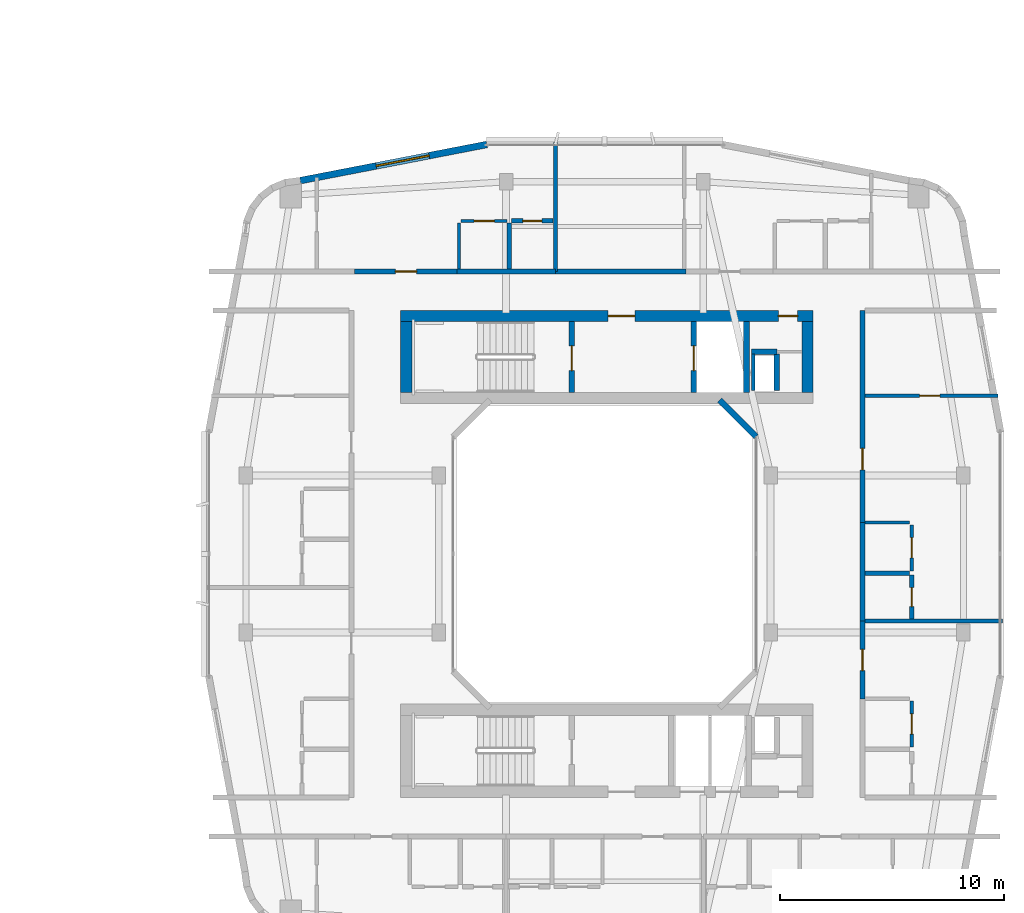
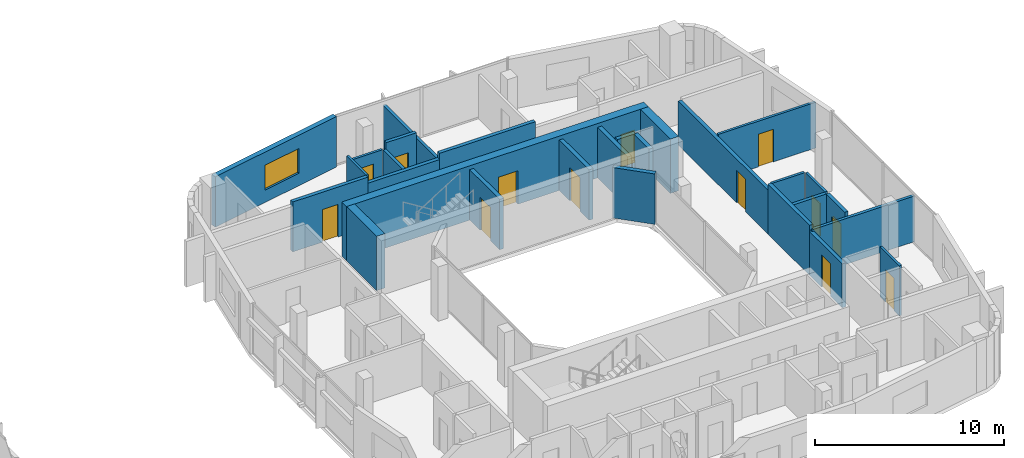
# One storey, part 16 of 24: 29 walls, 13 doors, 1 window, 14 openings.
"""IFC4 building model written with IfcOpenShell, lengths in metres."""

import ifcopenshell
import ifcopenshell.guid

model = None  # the IFC model being written
_history = None  # IfcOwnerHistory: only IFC2X3 demands one
_inside = {}  # id of a spatial element -> (the spatial element, [elements in it])
_under = {}  # id of a project, library or spatial element -> (it, [spatial elements below it])
_declared = {}  # id of a project -> (the project, [libraries it declares])
_typed = {}  # id of a type object -> (the type object, [elements of that type])
_made_of = {}  # id of a material, layer set ... -> (it, [elements and type objects made of it])


def new_model(schema):
    """Start an empty IFC model of exactly this schema.

    Asked for "IFC4X3", IfcOpenShell would pick the latest addendum, in which some entities
    have other attributes; the version numbers below select the first issue.
    IFC2X3 requires an IfcOwnerHistory on every rooted entity: one is made here for all.
    """
    global model, _history
    if schema == "IFC4X3":
        model = ifcopenshell.file(schema_version=(4, 3, 0, 0))
    else:
        model = ifcopenshell.file(schema=schema)
    _inside.clear()
    _under.clear()
    _declared.clear()
    _typed.clear()
    _made_of.clear()
    _history = None
    if model.schema == "IFC2X3":
        org = make("IfcOrganization", Name="unknown")
        user = make(
            "IfcPersonAndOrganization",
            ThePerson=make("IfcPerson", FamilyName="unknown"),
            TheOrganization=org,
        )
        app = make(
            "IfcApplication",
            ApplicationDeveloper=org,
            Version="unknown",
            ApplicationFullName="unknown",
            ApplicationIdentifier="unknown",
        )
        _history = make(
            "IfcOwnerHistory",
            OwningUser=user,
            OwningApplication=app,
            ChangeAction="ADDED",
            CreationDate=0,
        )
    return model


def make(cls, **values):
    """One entity of the class cls with the attributes given. An attribute that is None is left unset."""
    return model.create_entity(
        cls, **{name: value for name, value in values.items() if value is not None}
    )


def rooted(cls, **values):
    """An entity with a GlobalId (a new one), such as an element, a storey or a relation."""
    return make(cls, GlobalId=ifcopenshell.guid.new(), OwnerHistory=_history, **values)


def si_unit(unit_type, name, prefix=None):
    """IfcSIUnit, for example si_unit("LENGTHUNIT", "METRE", prefix="MILLI")."""
    return make("IfcSIUnit", UnitType=unit_type, Prefix=prefix, Name=name)


def derived_unit(unit_type, elements):
    """IfcDerivedUnit: a product of units, each with its exponent."""
    return make(
        "IfcDerivedUnit",
        Elements=[
            make("IfcDerivedUnitElement", Unit=unit, Exponent=power)
            for unit, power in elements
        ],
        UnitType=unit_type,
    )


def assignment(units):
    """IfcUnitAssignment: the units of a project."""
    return None if units is None else make("IfcUnitAssignment", Units=units)


def point(xyz):
    """IfcCartesianPoint."""
    return None if xyz is None else make("IfcCartesianPoint", Coordinates=xyz)


def direction(xyz):
    """IfcDirection."""
    return None if xyz is None else make("IfcDirection", DirectionRatios=xyz)


def frame(location, z_axis=None, x_axis=None):
    """IfcAxis2Placement3D, a coordinate frame: its origin and axes. An axis left out is left unset."""
    return make(
        "IfcAxis2Placement3D",
        Location=point(location),
        Axis=direction(z_axis),
        RefDirection=direction(x_axis),
    )


def frame_2d(location, x_axis=None):
    """IfcAxis2Placement2D, a coordinate frame in the plane: its origin and x axis."""
    return make(
        "IfcAxis2Placement2D", Location=point(location), RefDirection=direction(x_axis)
    )


def origin():
    """The frame at (0, 0, 0) with its axes left unset."""
    return frame((0.0, 0.0, 0.0))


def place(relative_to, where):
    """IfcLocalPlacement: puts the frame where relative to a parent placement (None: the world)."""
    return make(
        "IfcLocalPlacement", PlacementRelTo=relative_to, RelativePlacement=where
    )


def context(
    kind, dimensions, precision=None, world=None, true_north=None, identifier=None
):
    """IfcGeometricRepresentationContext, for example the 3D "Model" context."""
    return make(
        "IfcGeometricRepresentationContext",
        ContextIdentifier=identifier,
        ContextType=kind,
        CoordinateSpaceDimension=dimensions,
        Precision=precision,
        WorldCoordinateSystem=world,
        TrueNorth=true_north,
    )


def subcontext(parent, identifier, kind, view, scale=None):
    """IfcGeometricRepresentationSubContext, for example "Body" below "Model"."""
    return make(
        "IfcGeometricRepresentationSubContext",
        ContextIdentifier=identifier,
        ContextType=kind,
        ParentContext=parent,
        TargetScale=scale,
        TargetView=view,
    )


def project(units=None, contexts=None):
    """IfcProject with its units and contexts."""
    return rooted(
        "IfcProject",
        Name="project",
        RepresentationContexts=contexts,
        UnitsInContext=assignment(units),
    )


def spatial(cls, under=None, at=None, **own):
    """A site, building, storey or space (cls), placed at a placement, below another one or the project."""
    s = rooted(cls, ObjectPlacement=at, **own)
    if under is not None:
        _under.setdefault(under.id(), (under, []))[1].append(s)
    return s


def profile(cls, at=None, kind="AREA", **sizes):
    """A parametric profile (cls). Its sizes go by their IFC names, for example OverallWidth=200.0."""
    return make(cls, ProfileType=kind, Position=at, **sizes)


def rectangle(**sizes):
    """IfcRectangleProfileDef."""
    return profile("IfcRectangleProfileDef", **sizes)


def extrude(swept, where, along, depth):
    """IfcExtrudedAreaSolid: the profile swept, set in the frame where, extruded along a direction by depth."""
    return make(
        "IfcExtrudedAreaSolid",
        SweptArea=swept,
        Position=where,
        ExtrudedDirection=direction(along),
        Depth=depth,
    )


def shape(context_of_items, identifier, shape_type, items):
    """IfcShapeRepresentation: the items that make up one representation, for example the "Body"."""
    return make(
        "IfcShapeRepresentation",
        ContextOfItems=context_of_items,
        RepresentationIdentifier=identifier,
        RepresentationType=shape_type,
        Items=items,
    )


def material(Name=None, Category=None):
    """IfcMaterial."""
    return make("IfcMaterial", Name=Name, Category=Category)


def layer(
    of_material, thickness, ventilated=None, Name=None, Category=None, Priority=None
):
    """IfcMaterialLayer: one layer of a wall or slab, of a material (None: an air gap)."""
    return make(
        "IfcMaterialLayer",
        Material=of_material,
        LayerThickness=thickness,
        IsVentilated=ventilated,
        Name=Name,
        Category=Category,
        Priority=Priority,
    )


def layer_set(layers, Name=None):
    """IfcMaterialLayerSet."""
    return make("IfcMaterialLayerSet", MaterialLayers=layers, LayerSetName=Name)


def made_of(thing, what):
    """Note that an element or type object is made of a material, layer set ...; save() writes the relation."""
    if what is not None:
        _made_of.setdefault(what.id(), (what, []))[1].append(thing)
    return thing


def type_object(cls, material=None, **own):
    """A type object (cls), such as IfcWallType, which elements share."""
    return made_of(rooted(cls, **own), material)


def element(
    cls,
    number,
    at=None,
    inside=None,
    cuts=None,
    type_object=None,
    material=None,
    context=None,
    identifier="Body",
    shape_type=None,
    held_by="IfcProductDefinitionShape",
    body=None,
    shapes=None,
    **own,
):
    """One element of the class cls, such as IfcWall. Its Tag is "e" and its number.

    at: its placement. inside: the storey or other place that contains it. cuts: it is an
    opening in that element (IfcRelVoidsElement). A single representation is given by context,
    identifier, shape_type and body (its items); several are given by shapes. held_by: the class
    of the entity that holds the representations. save() writes the other relations.
    """
    e = rooted(cls, Tag="e%d" % number, ObjectPlacement=at, **own)
    if body is not None:
        shapes = [shape(context, identifier, shape_type, body)]
    if shapes is not None:
        e.Representation = make(held_by, Representations=shapes)
    if inside is not None:
        _inside.setdefault(inside.id(), (inside, []))[1].append(e)
    if cuts is not None:
        rooted(
            "IfcRelVoidsElement", RelatingBuildingElement=cuts, RelatedOpeningElement=e
        )
    if type_object is not None:
        _typed.setdefault(type_object.id(), (type_object, []))[1].append(e)
    return made_of(e, material)


def fill(opening, filler):
    """IfcRelFillsElement: the door or window that sits in an opening."""
    return rooted(
        "IfcRelFillsElement",
        RelatingOpeningElement=opening,
        RelatedBuildingElement=filler,
    )


def aggregate(whole, parts):
    """IfcRelAggregates: a whole, such as a stair, and the parts it consists of."""
    return rooted("IfcRelAggregates", RelatingObject=whole, RelatedObjects=parts)


def save(model, path):
    """Write the relations noted so far, then the file.

    IfcRelAggregates (storeys below a building ...), IfcRelContainedInSpatialStructure (elements
    in a storey), IfcRelDefinesByType, IfcRelAssociatesMaterial and IfcRelDeclares: one each for
    every whole, place, type object, material and project.
    """
    for whole, parts in _under.values():
        aggregate(whole, parts)
    for where, things in _inside.values():
        rooted(
            "IfcRelContainedInSpatialStructure",
            RelatedElements=things,
            RelatingStructure=where,
        )
    for kind, things in _typed.values():
        rooted("IfcRelDefinesByType", RelatedObjects=things, RelatingType=kind)
    for what, things in _made_of.values():
        rooted("IfcRelAssociatesMaterial", RelatedObjects=things, RelatingMaterial=what)
    for by, libraries in _declared.values():
        rooted("IfcRelDeclares", RelatingContext=by, RelatedDefinitions=libraries)
    model.write(path)


model = new_model("IFC4")

# Units and contexts
model_context = context("Model", 3, precision=1e-05, world=origin(), true_north=direction((0.0, 1.0)))
body_context = subcontext(model_context, "Body", "Model", "MODEL_VIEW")
ifc_project = project(units=[si_unit("LENGTHUNIT", "METRE"), si_unit("AREAUNIT", "SQUARE_METRE"), si_unit("VOLUMEUNIT", "CUBIC_METRE"), si_unit("PLANEANGLEUNIT", "RADIAN"), si_unit("MASSUNIT", "GRAM", prefix="KILO"), derived_unit("THERMALTRANSMITTANCEUNIT", [(si_unit("POWERUNIT", "WATT"), 1), (si_unit("LENGTHUNIT", "METRE"), -2), (si_unit("THERMODYNAMICTEMPERATUREUNIT", "KELVIN"), -1)])], contexts=[model_context])

# Site, building, storey
site_placement = place(None, origin())
site = spatial("IfcSite", under=ifc_project, at=site_placement, CompositionType="ELEMENT")
building_placement = place(site_placement, origin())
building = spatial("IfcBuilding", under=site, at=building_placement, Name="Kivonza Crest Hotel", CompositionType="ELEMENT")
storey_placement = place(building_placement, frame((0.0, 0.0, 80.0)))
storey = spatial("IfcBuildingStorey", under=building, at=storey_placement, Name="L21", CompositionType="ELEMENT", Elevation=80.0)

# Walls
ifc_material_1 = material(Name="High-density acoustic masonry inter-tenancy wall", Category="masonry")
ifc_layer_1 = layer(ifc_material_1, 0.179931640625)
ifc_layer_set_1 = layer_set([ifc_layer_1], Name="High-density acoustic masonry inter-tenancy wall")
wall_type_1 = type_object("IfcWallType", Name="WL-ACOU-180", PredefinedType="SOLIDWALL", material=ifc_layer_set_1)
wall_1_placement = place(storey_placement, frame((74.800048828125, 37.60009765625, 0.0), z_axis=(0.0, 0.0, 1.0), x_axis=(0.0, 1.0, 0.0)))
element("IfcWall", 1, at=wall_1_placement, inside=storey, type_object=wall_type_1, Name="L21 interior partition WA-L21-T2N-DIV1", PredefinedType="SOLIDWALL", context=body_context, shape_type="SweptSolid", body=[
    extrude(rectangle(XDim=5.739990234375, YDim=0.179931640625, at=frame_2d((2.8701171875, 0.0))), origin(), (0.0, 0.0, 1.0), 2.824951171875),
])
wall_2_placement = place(storey_placement, frame((88.5, 22.0, 0.0), z_axis=(0.0, 0.0, 1.0), x_axis=(1.0, 0.0, 0.0)))
element("IfcWall", 2, at=wall_2_placement, inside=storey, type_object=wall_type_1, Name="L21 interior partition WA-L21-T2E-DIV1", PredefinedType="SOLIDWALL", context=body_context, shape_type="SweptSolid", body=[
    extrude(rectangle(XDim=6.239990234375, YDim=0.179931640625, at=frame_2d((3.1201171875, 0.0))), origin(), (0.0, 0.0, 1.0), 2.945068359375),
])
ifc_material_2 = material(Name="Autoclaved aerated concrete blockwork", Category="masonry")
ifc_layer_2 = layer(ifc_material_2, 0.219970703125)
ifc_layer_set_2 = layer_set([ifc_layer_2], Name="Autoclaved aerated concrete blockwork")
wall_type_2 = type_object("IfcWallType", Name="WL-ACOU-220", PredefinedType="SOLIDWALL", material=ifc_layer_set_2)
wall_3_placement = place(storey_placement, frame((70.419921875, 37.60009765625, 0.0), z_axis=(0.0, 0.0, 1.0), x_axis=(1.0, 0.0, 0.0)))
element("IfcWall", 3, at=wall_3_placement, inside=storey, type_object=wall_type_2, Name="L21 interior partition WA-L21-A01-RCORR", PredefinedType="SOLIDWALL", context=body_context, shape_type="SweptSolid", body=[
    extrude(rectangle(XDim=4.380126953125, YDim=0.219970703125, at=frame_2d((2.18994140625, 0.0))), origin(), (0.0, 0.0, 1.0), 2.824951171875),
])

# Wall, opening, door
wall_4_placement = place(storey_placement, frame((65.85009765625, 37.60009765625, 0.0), z_axis=(0.0, 0.0, 1.0), x_axis=(1.0, 0.0, 0.0)))
wall_4 = element("IfcWall", 4, at=wall_4_placement, inside=storey, type_object=wall_type_2, Name="L21 interior partition WA-L21-A01-MCORR", PredefinedType="SOLIDWALL", context=body_context, shape_type="SweptSolid", body=[
    extrude(rectangle(XDim=4.56982421875, YDim=0.219970703125, at=frame_2d((2.284912109375, 0.0))), origin(), (0.0, 0.0, 1.0), 3.219970703125),
])
opening_1_placement = place(wall_4_placement, frame((1.81005859375, 0.0, 0.0)))
opening_1 = element("IfcOpeningElement", 5, at=opening_1_placement, cuts=wall_4, Name="Opening DU-60", PredefinedType="OPENING", context=body_context, shape_type="SweptSolid", body=[
    extrude(rectangle(XDim=0.949951171875, YDim=2.10009765625, at=frame_2d((0.47509765625, 1.050048828125))), frame((0.0, 0.1201171875, 0.0), z_axis=(0.0, -1.0, 0.0), x_axis=(1.0, 0.0, 0.0)), (0.0, 0.0, 1.0), 0.239990234375),
])
ifc_material_3 = material(Name="Hardwood timber oak", Category="wood")
door_type_1 = type_object("IfcDoorType", Name="DR-UNIT-950", OperationType="NOTDEFINED", PredefinedType="DOOR", material=ifc_material_3)
door_1_placement = place(opening_1_placement, origin())
door_1 = element("IfcDoor", 6, at=door_1_placement, inside=storey, type_object=door_type_1, Name="L21 A01 apartment entrance fire door", OperationType="SINGLE_SWING_LEFT", OverallHeight=2.10009765625, OverallWidth=0.949951171875, PredefinedType="DOOR", context=body_context, shape_type="SweptSolid", body=[
    extrude(rectangle(XDim=0.949951171875, YDim=2.10009765625, at=frame_2d((0.47509765625, 1.050048828125))), frame((0.0, 0.02490234375, 0.0), z_axis=(0.0, -1.0, 0.0), x_axis=(1.0, 0.0, 0.0)), (0.0, 0.0, 1.0), 0.050048828125),
])
fill(opening_1, door_1)

# Wall
wall_5_placement = place(storey_placement, frame((74.800048828125, 37.60009765625, 0.0), z_axis=(0.0, 0.0, 1.0), x_axis=(1.0, 0.0, 0.0)))
element("IfcWall", 7, at=wall_5_placement, inside=storey, type_object=wall_type_2, Name="L21 interior partition WA-L21-A02-LCORR", PredefinedType="SOLIDWALL", context=body_context, shape_type="SweptSolid", body=[
    extrude(rectangle(XDim=5.829833984375, YDim=0.219970703125, at=frame_2d((2.9150390625, 0.0))), origin(), (0.0, 0.0, 1.0), 3.219970703125),
])

# Wall, opening, door
wall_6_placement = place(storey_placement, frame((88.5, 18.5400390625, 0.0), z_axis=(0.0, 0.0, 1.0), x_axis=(0.0, 1.0, 0.0)))
wall_6 = element("IfcWall", 8, at=wall_6_placement, inside=storey, type_object=wall_type_2, Name="L21 interior partition WA-L21-A08-MCORR", PredefinedType="SOLIDWALL", context=body_context, shape_type="SweptSolid", body=[
    extrude(rectangle(XDim=3.4599609375, YDim=0.219970703125, at=frame_2d((1.72998046875, 0.0))), origin(), (0.0, 0.0, 1.0), 2.824951171875),
])
opening_2_placement = place(wall_6_placement, frame((1.2548828125, 0.0, 0.0)))
opening_2 = element("IfcOpeningElement", 9, at=opening_2_placement, cuts=wall_6, Name="Opening DU-60", PredefinedType="OPENING", context=body_context, shape_type="SweptSolid", body=[
    extrude(rectangle(XDim=0.949951171875, YDim=2.10009765625, at=frame_2d((0.47509765625, 1.050048828125))), frame((0.0, 0.1201171875, 0.0), z_axis=(0.0, -1.0, 0.0), x_axis=(1.0, 0.0, 0.0)), (0.0, 0.0, 1.0), 0.239990234375),
])
door_2_placement = place(opening_2_placement, frame((0.949951171875, 0.0, 0.0), z_axis=(0.0, 0.0, 1.0), x_axis=(-1.0, 0.0, 0.0)))
door_2 = element("IfcDoor", 10, at=door_2_placement, inside=storey, type_object=door_type_1, Name="L21 A08 apartment entrance fire door", OperationType="SINGLE_SWING_RIGHT", OverallHeight=2.10009765625, OverallWidth=0.949951171875, PredefinedType="DOOR", context=body_context, shape_type="SweptSolid", body=[
    extrude(rectangle(XDim=0.949951171875, YDim=2.10009765625, at=frame_2d((0.47509765625, 1.050048828125))), frame((0.0, 0.02490234375, 0.0), z_axis=(0.0, -1.0, 0.0), x_axis=(1.0, 0.0, 0.0)), (0.0, 0.0, 1.0), 0.050048828125),
])
fill(opening_2, door_2)

# Wall
wall_7_placement = place(storey_placement, frame((88.5, 22.0, 0.0), z_axis=(0.0, 0.0, 1.0), x_axis=(0.0, 1.0, 0.0)))
element("IfcWall", 11, at=wall_7_placement, inside=storey, type_object=wall_type_2, Name="L21 interior partition WA-L21-A09-BCORR", PredefinedType="SOLIDWALL", context=body_context, shape_type="SweptSolid", body=[
    extrude(rectangle(XDim=4.39990234375, YDim=0.219970703125, at=frame_2d((2.199951171875, 0.0))), origin(), (0.0, 0.0, 1.0), 3.219970703125),
])

# Wall, opening, door
wall_8_placement = place(storey_placement, frame((88.5, 26.39990234375, 0.0), z_axis=(0.0, 0.0, 1.0), x_axis=(0.0, 1.0, 0.0)))
wall_8 = element("IfcWall", 12, at=wall_8_placement, inside=storey, type_object=wall_type_2, Name="L21 interior partition WA-L21-A09-MCORR", PredefinedType="SOLIDWALL", context=body_context, shape_type="SweptSolid", body=[
    extrude(rectangle(XDim=9.460205078125, YDim=0.219970703125, at=frame_2d((4.72998046875, 0.0))), origin(), (0.0, 0.0, 1.0), 2.824951171875),
])
opening_3_placement = place(wall_8_placement, frame((2.35498046875, 0.0, 0.0)))
opening_3 = element("IfcOpeningElement", 13, at=opening_3_placement, cuts=wall_8, Name="Opening DU-60", PredefinedType="OPENING", context=body_context, shape_type="SweptSolid", body=[
    extrude(rectangle(XDim=0.949951171875, YDim=2.10009765625, at=frame_2d((0.47509765625, 1.050048828125))), frame((0.0, 0.1201171875, 0.0), z_axis=(0.0, -1.0, 0.0), x_axis=(1.0, 0.0, 0.0)), (0.0, 0.0, 1.0), 0.239990234375),
])
door_3_placement = place(opening_3_placement, frame((0.949951171875, 0.0, 0.0), z_axis=(0.0, 0.0, 1.0), x_axis=(-1.0, 0.0, 0.0)))
door_3 = element("IfcDoor", 14, at=door_3_placement, inside=storey, type_object=door_type_1, Name="L21 A09 apartment entrance fire door", OperationType="SINGLE_SWING_LEFT", OverallHeight=2.10009765625, OverallWidth=0.949951171875, PredefinedType="DOOR", context=body_context, shape_type="SweptSolid", body=[
    extrude(rectangle(XDim=0.949951171875, YDim=2.10009765625, at=frame_2d((0.47509765625, 1.050048828125))), frame((0.0, 0.02490234375, 0.0), z_axis=(0.0, -1.0, 0.0), x_axis=(1.0, 0.0, 0.0)), (0.0, 0.0, 1.0), 0.050048828125),
])
fill(opening_3, door_3)

# Wall, openings, doors
ifc_material_4 = material(Name="Concrete C60/75", Category="concrete")
ifc_layer_3 = layer(ifc_material_4, 0.5)
ifc_layer_set_3 = layer_set([ifc_layer_3], Name="Concrete C60/75")
wall_type_3 = type_object("IfcWallType", Name="WL-CORE-500", PredefinedType="SHEAR", material=ifc_layer_set_3)
wall_9_placement = place(storey_placement, frame((67.89990234375, 35.610107421875, 0.0), z_axis=(0.0, 0.0, 1.0), x_axis=(1.0, 0.0, 0.0)))
wall_9 = element("IfcWall", 15, at=wall_9_placement, inside=storey, type_object=wall_type_3, Name="Core wall T2-N North L21", PredefinedType="SHEAR", context=body_context, shape_type="SweptSolid", body=[
    extrude(rectangle(XDim=18.400146484375, YDim=0.5, at=frame_2d((9.2001953125, 0.0))), origin(), (0.0, 0.0, 1.0), 3.5),
])
opening_4_placement = place(wall_9_placement, frame((9.25, 0.0, 0.0)))
opening_4 = element("IfcOpeningElement", 16, at=opening_4_placement, cuts=wall_9, Name="Opening DF-60", PredefinedType="OPENING", context=body_context, shape_type="SweptSolid", body=[
    extrude(rectangle(XDim=1.199951171875, YDim=2.14990234375, at=frame_2d((0.60009765625, 1.074951171875))), frame((0.0, 0.260009765625, 0.0), z_axis=(0.0, -1.0, 0.0), x_axis=(1.0, 0.0, 0.0)), (0.0, 0.0, 1.0), 0.52001953125),
])
opening_5_placement = place(wall_9_placement, frame((16.85009765625, 0.0, 0.0)))
opening_5 = element("IfcOpeningElement", 17, at=opening_5_placement, cuts=wall_9, Name="Opening DF-60R", PredefinedType="OPENING", context=body_context, shape_type="SweptSolid", body=[
    extrude(rectangle(XDim=0.85009765625, YDim=2.10009765625, at=frame_2d((0.425048828125, 1.050048828125))), frame((0.0, 0.260009765625, 0.0), z_axis=(0.0, -1.0, 0.0), x_axis=(1.0, 0.0, 0.0)), (0.0, 0.0, 1.0), 0.52001953125),
])
door_type_2 = type_object("IfcDoorType", Name="DR-FD60-1200", OperationType="NOTDEFINED", PredefinedType="DOOR", material=ifc_material_3)
door_4_placement = place(opening_4_placement, origin())
door_4 = element("IfcDoor", 18, at=door_4_placement, inside=storey, type_object=door_type_2, Name="L21 T2-N firefighting lobby fire door", OperationType="SINGLE_SWING_RIGHT", OverallHeight=2.14990234375, OverallWidth=1.199951171875, PredefinedType="DOOR", context=body_context, shape_type="SweptSolid", body=[
    extrude(rectangle(XDim=1.199951171875, YDim=2.14990234375, at=frame_2d((0.60009765625, 1.074951171875))), frame((0.0, 0.02490234375, 0.0), z_axis=(0.0, -1.0, 0.0), x_axis=(1.0, 0.0, 0.0)), (0.0, 0.0, 1.0), 0.050048828125),
])
fill(opening_4, door_4)
door_type_3 = type_object("IfcDoorType", Name="DR-FD60-850", OperationType="NOTDEFINED", PredefinedType="DOOR", material=ifc_material_3)
door_5_placement = place(opening_5_placement, origin())
door_5 = element("IfcDoor", 19, at=door_5_placement, inside=storey, type_object=door_type_3, Name="L21 T2-N core room door", OperationType="SINGLE_SWING_RIGHT", OverallHeight=2.10009765625, OverallWidth=0.85009765625, PredefinedType="DOOR", context=body_context, shape_type="SweptSolid", body=[
    extrude(rectangle(XDim=0.85009765625, YDim=2.10009765625, at=frame_2d((0.425048828125, 1.050048828125))), frame((0.0, 0.02490234375, 0.0), z_axis=(0.0, -1.0, 0.0), x_axis=(1.0, 0.0, 0.0)), (0.0, 0.0, 1.0), 0.050048828125),
])
fill(opening_5, door_5)

# Walls
for number, where, z_axis, x_axis, name in (
    (20, (68.14990234375, 32.199951171875, 0.0), (0.0, 0.0, 1.0), (0.0, 1.0, 0.0), "Core wall T2-N West L21"),
    (21, (86.050048828125, 32.199951171875, 0.0), (0.0, 0.0, 1.0), (0.0, 1.0, 0.0), "Core wall T2-N East L21"),
):
    element("IfcWall", number, at=place(storey_placement, frame(where, z_axis=z_axis, x_axis=x_axis)), inside=storey, type_object=wall_type_3, Name=name, PredefinedType="SHEAR", context=body_context, shape_type="SweptSolid", body=[
        extrude(rectangle(XDim=3.16015625, YDim=0.5, at=frame_2d((1.580078125, 0.0))), origin(), (0.0, 0.0, 1.0), 3.5),
    ])
ifc_material_5 = material(Name="Precast concrete C40/50", Category="concrete")
ifc_layer_4 = layer(ifc_material_5, 0.260009765625)
ifc_layer_set_4 = layer_set([ifc_layer_4], Name="Precast concrete C40/50")
wall_type_4 = type_object("IfcWallType", Name="WL-EXT-260", PredefinedType="STANDARD", material=ifc_layer_set_4)
wall_10_placement = place(storey_placement, frame((83.756103515625, 30.22802734375, 0.0), z_axis=(0.0, 0.0, 1.0), x_axis=(-0.707106781187, 0.707106781187, 0.0)))
element("IfcWall", 22, at=wall_10_placement, inside=storey, type_object=wall_type_4, Name="L21 T2 light-well exterior wall 4", PredefinedType="STANDARD", context=body_context, shape_type="SweptSolid", body=[
    extrude(rectangle(XDim=2.310791015625, YDim=0.260009765625, at=frame_2d((1.1552734375, 0.0))), origin(), (0.0, 0.0, 1.0), 3.25),
])

# Wall, opening, window
ifc_layer_5 = layer(ifc_material_5, 0.300048828125)
ifc_layer_set_5 = layer_set([ifc_layer_5], Name="Precast concrete C40/50")
wall_type_5 = type_object("IfcWallType", Name="WL-EXT-300", PredefinedType="STANDARD", material=ifc_layer_set_5)
wall_11_placement = place(storey_placement, frame((71.742919921875, 43.262939453125, 0.0), z_axis=(0.0, 0.0, 1.0), x_axis=(-0.981750199588, -0.190175039396, 0.0)))
wall_11 = element("IfcWall", 23, at=wall_11_placement, inside=storey, type_object=wall_type_5, Name="L21 T2 exterior insulated wall 27", PredefinedType="STANDARD", context=body_context, shape_type="SweptSolid", body=[
    extrude(rectangle(XDim=8.476806640625, YDim=0.300048828125, at=frame_2d((4.23828125, 0.0))), origin(), (0.0, 0.0, 1.0), 3.25),
])
opening_6_placement = place(wall_11_placement, frame((2.623046875, 0.0, 0.800048828125)))
opening_6 = element("IfcOpeningElement", 24, at=opening_6_placement, cuts=wall_11, Name="Opening WN-05", PredefinedType="OPENING", context=body_context, shape_type="SweptSolid", body=[
    extrude(rectangle(XDim=2.39990234375, YDim=1.60009765625, at=frame_2d((1.199951171875, 0.800048828125))), frame((0.0, 0.16015625, 0.0), z_axis=(0.0, -1.0, 0.0), x_axis=(1.0, 0.0, 0.0)), (0.0, 0.0, 1.0), 0.320068359375),
])
ifc_material_6 = material(Name="Thermally broken bronze aluminium and low-E double glazing", Category="aluminium")
window_type = type_object("IfcWindowType", Name="WN-240x160", PartitioningType="TRIPLE_PANEL_VERTICAL", PredefinedType="WINDOW", material=ifc_material_6)
window_placement = place(opening_6_placement, origin())
window = element("IfcWindow", 25, at=window_placement, inside=storey, type_object=window_type, Name="L21 T2 facade window 27", OverallHeight=1.60009765625, OverallWidth=2.39990234375, PartitioningType="SINGLE_PANEL", PredefinedType="WINDOW", context=body_context, shape_type="SweptSolid", body=[
    extrude(rectangle(XDim=2.39990234375, YDim=1.60009765625, at=frame_2d((1.199951171875, 0.800048828125))), frame((0.0, 0.030029296875, 0.0), z_axis=(0.0, -1.0, 0.0), x_axis=(1.0, 0.0, 0.0)), (0.0, 0.0, 1.0), 0.06005859375),
])
fill(opening_6, window)

# Walls
ifc_material_7 = material(Name="Concrete blockwork fire-compartment wall", Category="masonry")
ifc_layer_6 = layer(ifc_material_7, 0.25)
ifc_layer_set_6 = layer_set([ifc_layer_6], Name="Concrete blockwork fire-compartment wall")
wall_type_6 = type_object("IfcWallType", Name="WL-FIRE-250", PredefinedType="SOLIDWALL", material=ifc_layer_set_6)
wall_12_placement = place(storey_placement, frame((84.679931640625, 32.300048828125, 0.0), z_axis=(0.0, 0.0, 1.0), x_axis=(0.0, 1.0, 0.0)))
element("IfcWall", 26, at=wall_12_placement, inside=storey, type_object=wall_type_6, Name="L21 interior partition WA-L21-T2-N-MEPR-E", PredefinedType="SOLIDWALL", context=body_context, shape_type="SweptSolid", body=[
    extrude(rectangle(XDim=1.619873046875, YDim=0.25, at=frame_2d((0.81005859375, 0.0))), origin(), (0.0, 0.0, 1.0), 3.219970703125),
])
wall_13_placement = place(storey_placement, frame((83.550048828125, 34.02001953125, 0.0), z_axis=(0.0, 0.0, 1.0), x_axis=(1.0, 0.0, 0.0)))
element("IfcWall", 27, at=wall_13_placement, inside=storey, type_object=wall_type_6, Name="L21 interior partition WA-L21-T2-N-MEPR-H", PredefinedType="SOLIDWALL", context=body_context, shape_type="SweptSolid", body=[
    extrude(rectangle(XDim=1.1298828125, YDim=0.25, at=frame_2d((0.56494140625, 0.0))), origin(), (0.0, 0.0, 1.0), 3.219970703125),
])
ifc_material_8 = material(Name="Twin-stud acoustic gypsum board partition", Category="gypsum")
ifc_layer_7 = layer(ifc_material_8, 0.14990234375)
ifc_layer_set_7 = layer_set([ifc_layer_7], Name="Twin-stud acoustic gypsum board partition")
wall_type_7 = type_object("IfcWallType", Name="WL-PART-150", PredefinedType="PARTITIONING", material=ifc_layer_set_7)
wall_14_placement = place(storey_placement, frame((83.6298828125, 32.300048828125, 0.0), z_axis=(0.0, 0.0, 1.0), x_axis=(0.0, 1.0, 0.0)))
element("IfcWall", 28, at=wall_14_placement, inside=storey, type_object=wall_type_7, Name="L21 interior partition WA-L21-T2-N-MEPR-W", PredefinedType="PARTITIONING", context=body_context, shape_type="SweptSolid", body=[
    extrude(rectangle(XDim=1.619873046875, YDim=0.14990234375, at=frame_2d((0.81005859375, 0.0))), origin(), (0.0, 0.0, 1.0), 2.824951171875),
])
wall_15_placement = place(storey_placement, frame((70.5, 37.699951171875, 0.0), z_axis=(0.0, 0.0, 1.0), x_axis=(0.0, 1.0, 0.0)))
element("IfcWall", 29, at=wall_15_placement, inside=storey, type_object=wall_type_7, Name="L21 interior partition WP-L21-A01-KF", PredefinedType="PARTITIONING", context=body_context, shape_type="SweptSolid", body=[
    extrude(rectangle(XDim=2.050048828125, YDim=0.14990234375, at=frame_2d((1.02490234375, 0.0))), origin(), (0.0, 0.0, 1.0), 3.219970703125),
])

# Wall, opening, door
wall_16_placement = place(storey_placement, frame((70.60009765625, 39.85009765625, 0.0), z_axis=(0.0, 0.0, 1.0), x_axis=(1.0, 0.0, 0.0)))
wall_16 = element("IfcWall", 30, at=wall_16_placement, inside=storey, type_object=wall_type_7, Name="L21 interior partition WP-L21-A01-KSVC", PredefinedType="PARTITIONING", context=body_context, shape_type="SweptSolid", body=[
    extrude(rectangle(XDim=2.0498046875, YDim=0.14990234375, at=frame_2d((1.02490234375, 0.0))), origin(), (0.0, 0.0, 1.0), 2.824951171875),
])
opening_7_placement = place(wall_16_placement, frame((0.574951171875, 0.0, 0.0)))
opening_7 = element("IfcOpeningElement", 31, at=opening_7_placement, cuts=wall_16, Name="Opening DI-90", PredefinedType="OPENING", context=body_context, shape_type="SweptSolid", body=[
    extrude(rectangle(XDim=0.89990234375, YDim=2.10009765625, at=frame_2d((0.449951171875, 1.050048828125))), frame((0.0, 0.0849609375, 0.0), z_axis=(0.0, -1.0, 0.0), x_axis=(1.0, 0.0, 0.0)), (0.0, 0.0, 1.0), 0.169921875),
])
door_type_4 = type_object("IfcDoorType", Name="DR-INT-900", OperationType="NOTDEFINED", PredefinedType="DOOR", material=ifc_material_3)
door_6_placement = place(opening_7_placement, origin())
door_6 = element("IfcDoor", 32, at=door_6_placement, inside=storey, type_object=door_type_4, Name="L21 A01 apartment kitchen door", OperationType="SINGLE_SWING_LEFT", OverallHeight=2.10009765625, OverallWidth=0.89990234375, PredefinedType="DOOR", context=body_context, shape_type="SweptSolid", body=[
    extrude(rectangle(XDim=0.89990234375, YDim=2.10009765625, at=frame_2d((0.449951171875, 1.050048828125))), frame((0.0, 0.02490234375, 0.0), z_axis=(0.0, -1.0, 0.0), x_axis=(1.0, 0.0, 0.0)), (0.0, 0.0, 1.0), 0.050048828125),
])
fill(opening_7, door_6)

wall_17_placement = place(storey_placement, frame((90.699951171875, 16.389892578125, 0.0), z_axis=(0.0, 0.0, 1.0), x_axis=(0.0, 1.0, 0.0)))
wall_17 = element("IfcWall", 33, at=wall_17_placement, inside=storey, type_object=wall_type_7, Name="L21 interior partition WP-L21-A08-KSVC", PredefinedType="PARTITIONING", context=body_context, shape_type="SweptSolid", body=[
    extrude(rectangle(XDim=2.050048828125, YDim=0.14990234375, at=frame_2d((1.02490234375, 0.0))), origin(), (0.0, 0.0, 1.0), 3.219970703125),
])
opening_8_placement = place(wall_17_placement, frame((0.574951171875, 0.0, 0.0)))
opening_8 = element("IfcOpeningElement", 34, at=opening_8_placement, cuts=wall_17, Name="Opening DI-90", PredefinedType="OPENING", context=body_context, shape_type="SweptSolid", body=[
    extrude(rectangle(XDim=0.89990234375, YDim=2.10009765625, at=frame_2d((0.449951171875, 1.050048828125))), frame((0.0, 0.0849609375, 0.0), z_axis=(0.0, -1.0, 0.0), x_axis=(1.0, 0.0, 0.0)), (0.0, 0.0, 1.0), 0.169921875),
])
door_7_placement = place(opening_8_placement, frame((0.89990234375, 0.0, 0.0), z_axis=(0.0, 0.0, 1.0), x_axis=(-1.0, 0.0, 0.0)))
door_7 = element("IfcDoor", 35, at=door_7_placement, inside=storey, type_object=door_type_4, Name="L21 A08 apartment kitchen door", OperationType="SINGLE_SWING_RIGHT", OverallHeight=2.10009765625, OverallWidth=0.89990234375, PredefinedType="DOOR", context=body_context, shape_type="SweptSolid", body=[
    extrude(rectangle(XDim=0.89990234375, YDim=2.10009765625, at=frame_2d((0.449951171875, 1.050048828125))), frame((0.0, 0.02490234375, 0.0), z_axis=(0.0, -1.0, 0.0), x_axis=(1.0, 0.0, 0.0)), (0.0, 0.0, 1.0), 0.050048828125),
])
fill(opening_8, door_7)

wall_18_placement = place(storey_placement, frame((88.60009765625, 32.06005859375, 0.0), z_axis=(0.0, 0.0, 1.0), x_axis=(1.0, 0.0, 0.0)))
wall_18 = element("IfcWall", 36, at=wall_18_placement, inside=storey, type_object=wall_type_7, Name="L21 interior partition WP-L21-A09-BD1", PredefinedType="PARTITIONING", context=body_context, shape_type="SweptSolid", body=[
    extrude(rectangle(XDim=5.93994140625, YDim=0.14990234375, at=frame_2d((2.969970703125, 0.0))), origin(), (0.0, 0.0, 1.0), 2.945068359375),
])
opening_9_placement = place(wall_18_placement, frame((2.449951171875, 0.0, 0.0)))
opening_9 = element("IfcOpeningElement", 37, at=opening_9_placement, cuts=wall_18, Name="Opening DI-90", PredefinedType="OPENING", context=body_context, shape_type="SweptSolid", body=[
    extrude(rectangle(XDim=0.89990234375, YDim=2.10009765625, at=frame_2d((0.449951171875, 1.050048828125))), frame((0.0, 0.0849609375, 0.0), z_axis=(0.0, -1.0, 0.0), x_axis=(1.0, 0.0, 0.0)), (0.0, 0.0, 1.0), 0.169921875),
])
door_8_placement = place(opening_9_placement, origin())
door_8 = element("IfcDoor", 38, at=door_8_placement, inside=storey, type_object=door_type_4, Name="L21 A09 bedroom door", OperationType="SINGLE_SWING_RIGHT", OverallHeight=2.10009765625, OverallWidth=0.89990234375, PredefinedType="DOOR", context=body_context, shape_type="SweptSolid", body=[
    extrude(rectangle(XDim=0.89990234375, YDim=2.10009765625, at=frame_2d((0.449951171875, 1.050048828125))), frame((0.0, 0.02490234375, 0.0), z_axis=(0.0, -1.0, 0.0), x_axis=(1.0, 0.0, 0.0)), (0.0, 0.0, 1.0), 0.050048828125),
])
fill(opening_9, door_8)

# Wall
wall_19_placement = place(storey_placement, frame((88.60009765625, 26.39990234375, 0.0), z_axis=(0.0, 0.0, 1.0), x_axis=(1.0, 0.0, 0.0)))
element("IfcWall", 39, at=wall_19_placement, inside=storey, type_object=wall_type_7, Name="L21 interior partition WP-L21-A09-KF", PredefinedType="PARTITIONING", context=body_context, shape_type="SweptSolid", body=[
    extrude(rectangle(XDim=2.0, YDim=0.14990234375, at=frame_2d((1.0, 0.0))), origin(), (0.0, 0.0, 1.0), 3.219970703125),
])

# Wall, opening, door
wall_20_placement = place(storey_placement, frame((90.699951171875, 24.25, 0.0), z_axis=(0.0, 0.0, 1.0), x_axis=(0.0, 1.0, 0.0)))
wall_20 = element("IfcWall", 40, at=wall_20_placement, inside=storey, type_object=wall_type_7, Name="L21 interior partition WP-L21-A09-KSVC", PredefinedType="PARTITIONING", context=body_context, shape_type="SweptSolid", body=[
    extrude(rectangle(XDim=2.050048828125, YDim=0.14990234375, at=frame_2d((1.02490234375, 0.0))), origin(), (0.0, 0.0, 1.0), 3.219970703125),
])
opening_10_placement = place(wall_20_placement, frame((0.574951171875, 0.0, 0.0)))
opening_10 = element("IfcOpeningElement", 41, at=opening_10_placement, cuts=wall_20, Name="Opening DI-90", PredefinedType="OPENING", context=body_context, shape_type="SweptSolid", body=[
    extrude(rectangle(XDim=0.89990234375, YDim=2.10009765625, at=frame_2d((0.449951171875, 1.050048828125))), frame((0.0, 0.0849609375, 0.0), z_axis=(0.0, -1.0, 0.0), x_axis=(1.0, 0.0, 0.0)), (0.0, 0.0, 1.0), 0.169921875),
])
door_9_placement = place(opening_10_placement, frame((0.89990234375, 0.0, 0.0), z_axis=(0.0, 0.0, 1.0), x_axis=(-1.0, 0.0, 0.0)))
door_9 = element("IfcDoor", 42, at=door_9_placement, inside=storey, type_object=door_type_4, Name="L21 A09 apartment kitchen door", OperationType="SINGLE_SWING_LEFT", OverallHeight=2.10009765625, OverallWidth=0.89990234375, PredefinedType="DOOR", context=body_context, shape_type="SweptSolid", body=[
    extrude(rectangle(XDim=0.89990234375, YDim=2.10009765625, at=frame_2d((0.449951171875, 1.050048828125))), frame((0.0, 0.02490234375, 0.0), z_axis=(0.0, -1.0, 0.0), x_axis=(1.0, 0.0, 0.0)), (0.0, 0.0, 1.0), 0.050048828125),
])
fill(opening_10, door_9)

# Wall
ifc_material_9 = material(Name="Moisture-resistant plumbing chase partition wall", Category="gypsum")
ifc_layer_8 = layer(ifc_material_9, 0.199951171875)
ifc_layer_set_8 = layer_set([ifc_layer_8], Name="Moisture-resistant plumbing chase partition wall")
wall_type_8 = type_object("IfcWallType", Name="WL-PLUMB-200", PredefinedType="PLUMBINGWALL", material=ifc_layer_set_8)
wall_21_placement = place(storey_placement, frame((72.75, 37.699951171875, 0.0), z_axis=(0.0, 0.0, 1.0), x_axis=(0.0, 1.0, 0.0)))
element("IfcWall", 43, at=wall_21_placement, inside=storey, type_object=wall_type_8, Name="L21 interior partition WW-L21-A01-BK", PredefinedType="PLUMBINGWALL", context=body_context, shape_type="SweptSolid", body=[
    extrude(rectangle(XDim=2.050048828125, YDim=0.199951171875, at=frame_2d((1.02490234375, 0.0))), origin(), (0.0, 0.0, 1.0), 2.824951171875),
])

# Wall, opening, door
wall_22_placement = place(storey_placement, frame((72.85009765625, 39.85009765625, 0.0), z_axis=(0.0, 0.0, 1.0), x_axis=(1.0, 0.0, 0.0)))
wall_22 = element("IfcWall", 44, at=wall_22_placement, inside=storey, type_object=wall_type_8, Name="L21 interior partition WW-L21-A01-BSVC", PredefinedType="PLUMBINGWALL", context=body_context, shape_type="SweptSolid", body=[
    extrude(rectangle(XDim=1.849853515625, YDim=0.199951171875, at=frame_2d((0.9248046875, 0.0))), origin(), (0.0, 0.0, 1.0), 3.219970703125),
])
opening_11_placement = place(wall_22_placement, frame((0.5, 0.0, 0.0)))
opening_11 = element("IfcOpeningElement", 45, at=opening_11_placement, cuts=wall_22, Name="Opening DI-85", PredefinedType="OPENING", context=body_context, shape_type="SweptSolid", body=[
    extrude(rectangle(XDim=0.85009765625, YDim=2.10009765625, at=frame_2d((0.425048828125, 1.050048828125))), frame((0.0, 0.10986328125, 0.0), z_axis=(0.0, -1.0, 0.0), x_axis=(1.0, 0.0, 0.0)), (0.0, 0.0, 1.0), 0.219970703125),
])
door_type_5 = type_object("IfcDoorType", Name="DR-INT-850", OperationType="NOTDEFINED", PredefinedType="DOOR", material=ifc_material_3)
door_10_placement = place(opening_11_placement, origin())
door_10 = element("IfcDoor", 46, at=door_10_placement, inside=storey, type_object=door_type_5, Name="L21 A01 apartment bathroom door", OperationType="SINGLE_SWING_RIGHT", OverallHeight=2.10009765625, OverallWidth=0.85009765625, PredefinedType="DOOR", context=body_context, shape_type="SweptSolid", body=[
    extrude(rectangle(XDim=0.85009765625, YDim=2.10009765625, at=frame_2d((0.425048828125, 1.050048828125))), frame((0.0, 0.02490234375, 0.0), z_axis=(0.0, -1.0, 0.0), x_axis=(1.0, 0.0, 0.0)), (0.0, 0.0, 1.0), 0.050048828125),
])
fill(opening_11, door_10)

# Wall
wall_23_placement = place(storey_placement, frame((88.60009765625, 24.14990234375, 0.0), z_axis=(0.0, 0.0, 1.0), x_axis=(1.0, 0.0, 0.0)))
element("IfcWall", 47, at=wall_23_placement, inside=storey, type_object=wall_type_8, Name="L21 interior partition WW-L21-A09-BK", PredefinedType="PLUMBINGWALL", context=body_context, shape_type="SweptSolid", body=[
    extrude(rectangle(XDim=2.0, YDim=0.199951171875, at=frame_2d((1.0, 0.0))), origin(), (0.0, 0.0, 1.0), 3.219970703125),
])

# Wall, opening, door
wall_24_placement = place(storey_placement, frame((90.699951171875, 22.10009765625, 0.0), z_axis=(0.0, 0.0, 1.0), x_axis=(0.0, 1.0, 0.0)))
wall_24 = element("IfcWall", 48, at=wall_24_placement, inside=storey, type_object=wall_type_8, Name="L21 interior partition WW-L21-A09-BSVC", PredefinedType="PLUMBINGWALL", context=body_context, shape_type="SweptSolid", body=[
    extrude(rectangle(XDim=1.949951171875, YDim=0.199951171875, at=frame_2d((0.97509765625, 0.0))), origin(), (0.0, 0.0, 1.0), 3.219970703125),
])
opening_12_placement = place(wall_24_placement, frame((0.550048828125, 0.0, 0.0)))
opening_12 = element("IfcOpeningElement", 49, at=opening_12_placement, cuts=wall_24, Name="Opening DI-85", PredefinedType="OPENING", context=body_context, shape_type="SweptSolid", body=[
    extrude(rectangle(XDim=0.85009765625, YDim=2.10009765625, at=frame_2d((0.425048828125, 1.050048828125))), frame((0.0, 0.10986328125, 0.0), z_axis=(0.0, -1.0, 0.0), x_axis=(1.0, 0.0, 0.0)), (0.0, 0.0, 1.0), 0.219970703125),
])
door_11_placement = place(opening_12_placement, frame((0.85009765625, 0.0, 0.0), z_axis=(0.0, 0.0, 1.0), x_axis=(-1.0, 0.0, 0.0)))
door_11 = element("IfcDoor", 50, at=door_11_placement, inside=storey, type_object=door_type_5, Name="L21 A09 apartment bathroom door", OperationType="SINGLE_SWING_RIGHT", OverallHeight=2.10009765625, OverallWidth=0.85009765625, PredefinedType="DOOR", context=body_context, shape_type="SweptSolid", body=[
    extrude(rectangle(XDim=0.85009765625, YDim=2.10009765625, at=frame_2d((0.425048828125, 1.050048828125))), frame((0.0, 0.02490234375, 0.0), z_axis=(0.0, -1.0, 0.0), x_axis=(1.0, 0.0, 0.0)), (0.0, 0.0, 1.0), 0.050048828125),
])
fill(opening_12, door_11)

ifc_material_10 = material(Name="Concrete C50/60", Category="concrete")
ifc_layer_9 = layer(ifc_material_10, 0.25)
ifc_layer_set_9 = layer_set([ifc_layer_9], Name="Concrete C50/60")
wall_type_9 = type_object("IfcWallType", Name="WL-SHAFT-250", PredefinedType="STANDARD", material=ifc_layer_set_9)
wall_25_placement = place(storey_placement, frame((75.52490234375, 32.199951171875, 0.0), z_axis=(0.0, 0.0, 1.0), x_axis=(0.0, 1.0, 0.0)))
wall_25 = element("IfcWall", 51, at=wall_25_placement, inside=storey, type_object=wall_type_9, Name="Core shaft wall T2-N STAIR L21", PredefinedType="STANDARD", context=body_context, shape_type="SweptSolid", body=[
    extrude(rectangle(XDim=3.16015625, YDim=0.25, at=frame_2d((1.580078125, 0.0))), origin(), (0.0, 0.0, 1.0), 3.25),
])
opening_13_placement = place(wall_25_placement, frame((0.97998046875, 0.0, 0.0)))
opening_13 = element("IfcOpeningElement", 52, at=opening_13_placement, cuts=wall_25, Name="Opening DF-120", PredefinedType="OPENING", context=body_context, shape_type="SweptSolid", body=[
    extrude(rectangle(XDim=1.10009765625, YDim=2.14990234375, at=frame_2d((0.550048828125, 1.074951171875))), frame((0.0, 0.135009765625, 0.0), z_axis=(0.0, -1.0, 0.0), x_axis=(1.0, 0.0, 0.0)), (0.0, 0.0, 1.0), 0.27001953125),
])
ifc_material_11 = material(Name="Galvanised steel", Category="steel")
door_type_6 = type_object("IfcDoorType", Name="DR-FD120-1100", OperationType="NOTDEFINED", PredefinedType="DOOR", material=ifc_material_11)
door_12_placement = place(opening_13_placement, frame((1.10009765625, 0.0, 0.0), z_axis=(0.0, 0.0, 1.0), x_axis=(-1.0, 0.0, 0.0)))
door_12 = element("IfcDoor", 53, at=door_12_placement, inside=storey, type_object=door_type_6, Name="L21 T2-N stair fire door", OperationType="SINGLE_SWING_LEFT", OverallHeight=2.14990234375, OverallWidth=1.10009765625, PredefinedType="DOOR", context=body_context, shape_type="SweptSolid", body=[
    extrude(rectangle(XDim=1.10009765625, YDim=2.14990234375, at=frame_2d((0.550048828125, 1.074951171875))), frame((0.0, 0.02490234375, 0.0), z_axis=(0.0, -1.0, 0.0), x_axis=(1.0, 0.0, 0.0)), (0.0, 0.0, 1.0), 0.050048828125),
])
fill(opening_13, door_12)

wall_26_placement = place(storey_placement, frame((80.97509765625, 32.199951171875, 0.0), z_axis=(0.0, 0.0, 1.0), x_axis=(0.0, 1.0, 0.0)))
wall_26 = element("IfcWall", 54, at=wall_26_placement, inside=storey, type_object=wall_type_9, Name="Core shaft wall T2-N FFL-W L21", PredefinedType="STANDARD", context=body_context, shape_type="SweptSolid", body=[
    extrude(rectangle(XDim=3.16015625, YDim=0.25, at=frame_2d((1.580078125, 0.0))), origin(), (0.0, 0.0, 1.0), 3.25),
])
opening_14_placement = place(wall_26_placement, frame((0.97998046875, 0.0, 0.0)))
opening_14 = element("IfcOpeningElement", 55, at=opening_14_placement, cuts=wall_26, Name="Opening LD-120", PredefinedType="OPENING", context=body_context, shape_type="SweptSolid", body=[
    extrude(rectangle(XDim=1.10009765625, YDim=2.14990234375, at=frame_2d((0.550048828125, 1.074951171875))), frame((0.0, 0.135009765625, 0.0), z_axis=(0.0, -1.0, 0.0), x_axis=(1.0, 0.0, 0.0)), (0.0, 0.0, 1.0), 0.27001953125),
])
ifc_material_12 = material(Name="Stainless steel", Category="steel")
door_type_7 = type_object("IfcDoorType", Name="DR-LD120-1100", OperationType="NOTDEFINED", PredefinedType="DOOR", material=ifc_material_12)
door_13_placement = place(opening_14_placement, origin())
door_13 = element("IfcDoor", 56, at=door_13_placement, inside=storey, type_object=door_type_7, Name="L21 FFL-T2 firefighting lift sliding landing door", OperationType="DOUBLE_DOOR_SLIDING", OverallHeight=2.14990234375, OverallWidth=1.10009765625, PredefinedType="DOOR", context=body_context, shape_type="SweptSolid", body=[
    extrude(rectangle(XDim=1.10009765625, YDim=2.14990234375, at=frame_2d((0.550048828125, 1.074951171875))), frame((0.0, 0.02490234375, 0.0), z_axis=(0.0, -1.0, 0.0), x_axis=(1.0, 0.0, 0.0)), (0.0, 0.0, 1.0), 0.050048828125),
])
fill(opening_14, door_13)

# Wall
wall_27_placement = place(storey_placement, frame((83.324951171875, 32.199951171875, 0.0), z_axis=(0.0, 0.0, 1.0), x_axis=(0.0, 1.0, 0.0)))
element("IfcWall", 57, at=wall_27_placement, inside=storey, type_object=wall_type_9, Name="Core shaft wall T2-N FFL-E L21", PredefinedType="STANDARD", context=body_context, shape_type="SweptSolid", body=[
    extrude(rectangle(XDim=3.16015625, YDim=0.25, at=frame_2d((1.580078125, 0.0))), origin(), (0.0, 0.0, 1.0), 3.25),
])

save(model, "model.ifc")
